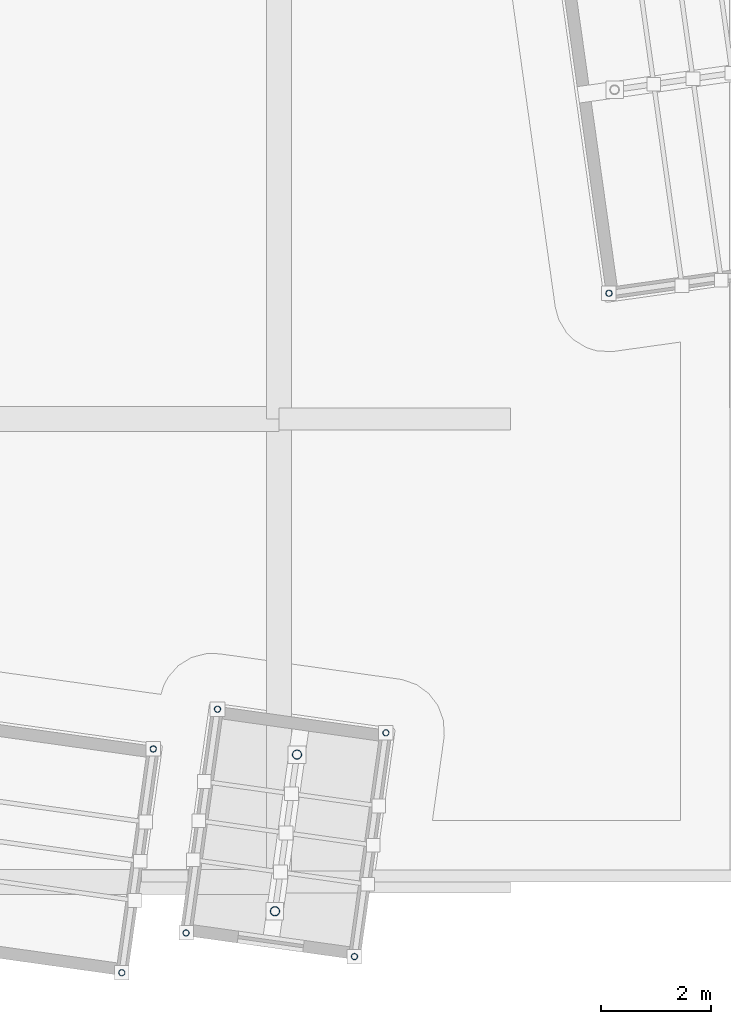
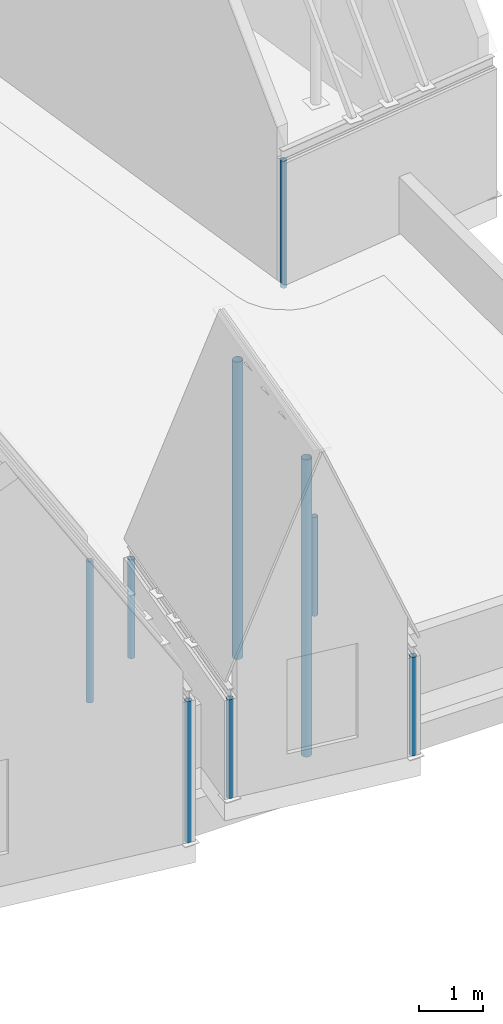
# One storey, part 2 of 11: 9 columns.
"""IFC4 building model written with IfcOpenShell, lengths in metres."""

from ifc_helpers import new_model, si_unit, direction, frame, origin, origin_2d, place, context, subcontext, project, spatial, hollow_circle, extrude, material, material_profile, profile_set, type_object, element, save


model = new_model("IFC4")

# Units and contexts
model_context = context("Model", 3, precision=1e-05, world=origin(), true_north=direction((0.0, 1.0)))
body_context = subcontext(model_context, "Body", "Model", "MODEL_VIEW")
ifc_project = project(units=[si_unit("LENGTHUNIT", "METRE"), si_unit("AREAUNIT", "SQUARE_METRE"), si_unit("VOLUMEUNIT", "CUBIC_METRE"), si_unit("PLANEANGLEUNIT", "RADIAN"), si_unit("MASSUNIT", "GRAM", prefix="KILO")], contexts=[model_context])

# Site, building, storey
site_placement = place(None, origin())
site = spatial("IfcSite", under=ifc_project, at=site_placement, CompositionType="ELEMENT")
building_placement = place(site_placement, origin())
building = spatial("IfcBuilding", under=site, at=building_placement, Name="Kiln Court Media Centre", CompositionType="ELEMENT")
storey_placement = place(building_placement, frame((0.0, 0.0, 42.60009765625)))
storey = spatial("IfcBuildingStorey", under=building, at=storey_placement, Name="ROOF", CompositionType="ELEMENT", Elevation=42.60009765625)

# Columns
ifc_material_1 = material(Name="Steel ASTM A500 Gr C", Category="steel")
ifc_material_profile_1 = material_profile(ifc_material_1, hollow_circle(Radius=0.05712890625, WallThickness=0.0048828125, at=origin_2d()), Name="CHS 114.3x5.0")
ifc_profile_set_1 = profile_set([ifc_material_profile_1], Name="Steel ASTM A500 Gr C")
column_type_1 = type_object("IfcColumnType", Name="Steel ASTM A500 Gr C CHS 114.3x5.0 crown eaves post", PredefinedType="COLUMN", material=ifc_profile_set_1)
for number, where, z_axis, x_axis, name in (
    (1, (22.91748046875, 2.414306640625, 0.0078125), (0.0, 0.0, 1.0), (1.0, 0.0, 0.0), "crown form 2 eaves post crown eaves post"),
    (2, (22.346923828125, -1.645751953125, 0.0078125), (0.0, 0.0, 1.0), (1.0, 0.0, 0.0), "crown form 2 eaves post crown eaves post"),
):
    element("IfcColumn", number, at=place(storey_placement, frame(where, z_axis=z_axis, x_axis=x_axis)), inside=storey, type_object=column_type_1, Name=name, PredefinedType="COLUMN", context=body_context, shape_type="SweptSolid", body=[
        extrude(hollow_circle(Radius=0.05712890625, WallThickness=0.0048828125, at=origin_2d()), origin(), (0.0, 0.0, 1.0), 2.692138671875),
    ])
for number, where, z_axis, x_axis, name in (
    (3, (24.0830078125, 3.135986328125, 0.0078125), (0.0, 0.0, 1.0), (1.0, 0.0, 0.0), "crown form 3 eaves post crown eaves post"),
    (4, (23.512451171875, -0.924072265625, 0.0078125), (0.0, 0.0, 1.0), (1.0, 0.0, 0.0), "crown form 3 eaves post crown eaves post"),
    (5, (27.137939453125, 2.70654296875, 0.0078125), (0.0, 0.0, 1.0), (1.0, 0.0, 0.0), "crown form 3 eaves post crown eaves post"),
    (6, (26.5673828125, -1.353515625, 0.0078125), (0.0, 0.0, 1.0), (1.0, 0.0, 0.0), "crown form 3 eaves post crown eaves post"),
):
    element("IfcColumn", number, at=place(storey_placement, frame(where, z_axis=z_axis, x_axis=x_axis)), inside=storey, type_object=column_type_1, Name=name, PredefinedType="COLUMN", context=body_context, shape_type="SweptSolid", body=[
        extrude(hollow_circle(Radius=0.05712890625, WallThickness=0.0048828125, at=origin_2d()), origin(), (0.0, 0.0, 1.0), 1.882080078125),
    ])
column_placement = place(storey_placement, frame((31.185546875, 10.682373046875, 0.0078125), z_axis=(0.0, 0.0, 1.0), x_axis=(1.0, 0.0, 0.0)))
element("IfcColumn", 7, at=column_placement, inside=storey, type_object=column_type_1, Name="crown form 4 eaves post crown eaves post", PredefinedType="COLUMN", context=body_context, shape_type="SweptSolid", body=[
    extrude(hollow_circle(Radius=0.05712890625, WallThickness=0.0048828125, at=origin_2d()), origin(), (0.0, 0.0, 1.0), 2.422119140625),
])
ifc_material_2 = material(Name="Steel ASTM A500 Gr C", Category="steel")
ifc_material_profile_2 = material_profile(ifc_material_2, hollow_circle(Radius=0.084228515625, WallThickness=0.00634765625, at=origin_2d()), Name="CHS 168.3x6.3")
ifc_profile_set_2 = profile_set([ifc_material_profile_2], Name="Steel ASTM A500 Gr C")
column_type_2 = type_object("IfcColumnType", Name="Steel ASTM A500 Gr C CHS 168.3x6.3 crown ridge post", PredefinedType="COLUMN", material=ifc_profile_set_2)
for number, where, z_axis, x_axis, name in (
    (8, (25.52490234375, 2.312255859375, 0.0078125), (0.0, 0.0, 1.0), (1.0, 0.0, 0.0), "crown form 3 ridge post crown ridge post"),
    (9, (25.12548828125, -0.52978515625, 0.0078125), (0.0, 0.0, 1.0), (1.0, 0.0, 0.0), "crown form 3 ridge post crown ridge post"),
):
    element("IfcColumn", number, at=place(storey_placement, frame(where, z_axis=z_axis, x_axis=x_axis)), inside=storey, type_object=column_type_2, Name=name, PredefinedType="COLUMN", context=body_context, shape_type="SweptSolid", body=[
        extrude(hollow_circle(Radius=0.084228515625, WallThickness=0.00634765625, at=origin_2d()), origin(), (0.0, 0.0, 1.0), 5.66796875),
    ])

save(model, "model.ifc")
